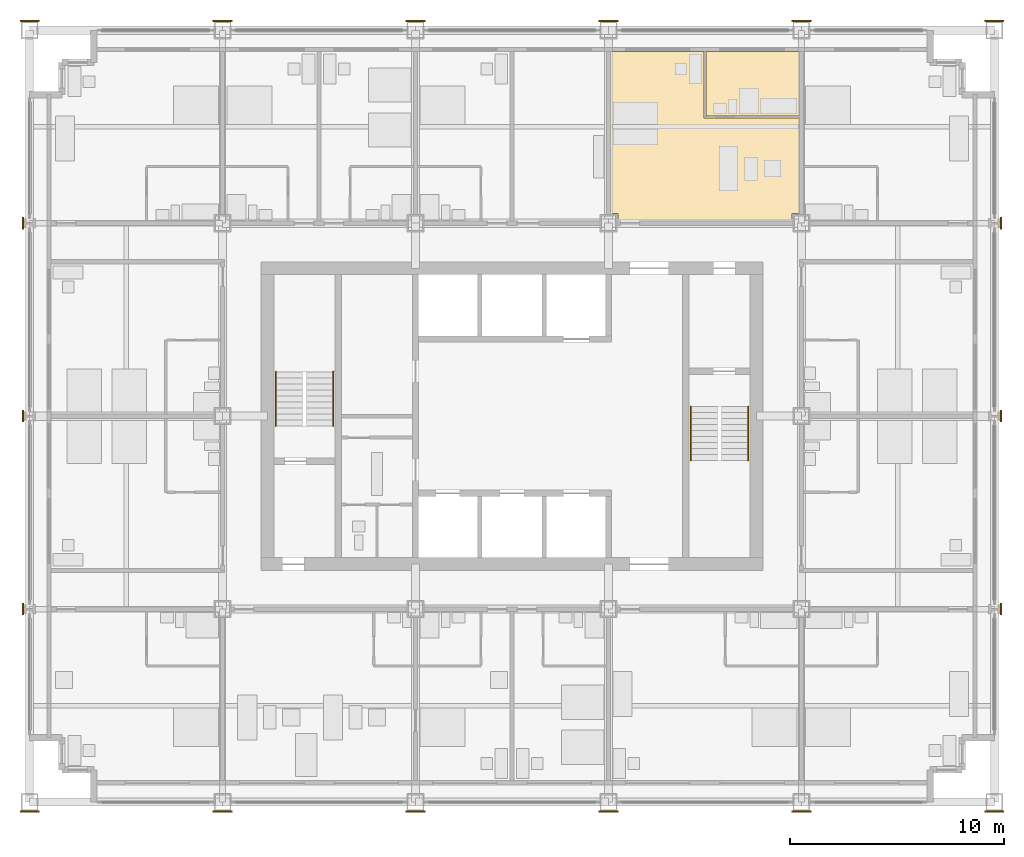
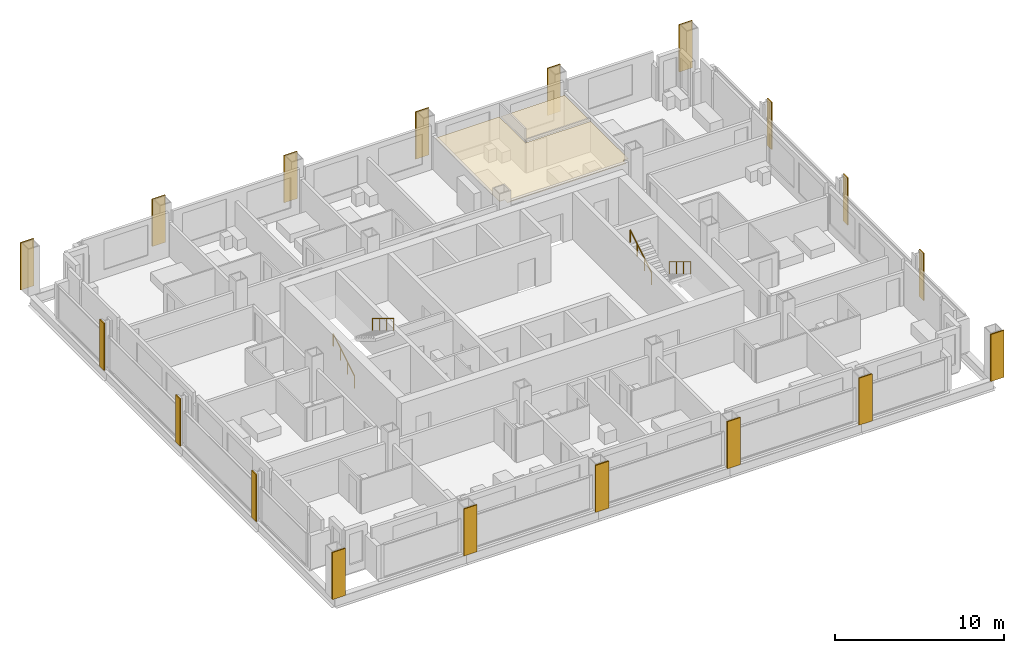
# One storey, part 14 of 16: 20 coverings, 4 railings.
"""IFC4 building model written with IfcOpenShell, lengths in metres."""

from ifc_helpers import new_model, si_unit, direction, frame, origin, origin_2d, place, context, subcontext, project, spatial, polyline, rectangle, circle, outline, extrude, material, layer, layer_set, type_object, element, save


model = new_model("IFC4")

# Units and contexts
model_context = context("Model", 3, precision=1e-05, world=origin(), true_north=direction((0.0, 1.0)))
body_context = subcontext(model_context, "Body", "Model", "MODEL_VIEW")
ifc_project = project(units=[si_unit("LENGTHUNIT", "METRE"), si_unit("AREAUNIT", "SQUARE_METRE"), si_unit("VOLUMEUNIT", "CUBIC_METRE"), si_unit("PLANEANGLEUNIT", "RADIAN"), si_unit("MASSUNIT", "GRAM", prefix="KILO")], contexts=[model_context])

# Site, building, storey
site_placement = place(None, origin())
site = spatial("IfcSite", under=ifc_project, at=site_placement, CompositionType="ELEMENT")
building_placement = place(site_placement, origin())
building = spatial("IfcBuilding", under=site, at=building_placement, Name="Loomwork Tower", CompositionType="ELEMENT")
storey_placement = place(building_placement, frame((0.0, 0.0, 131.60009765625)))
storey = spatial("IfcBuildingStorey", under=building, at=storey_placement, Name="L35", CompositionType="ELEMENT", Elevation=131.60009765625)

# Railings
ifc_material_1 = material(Name="Stainless steel handrail", Category="steel")
railing_type = type_object("IfcRailingType", Name="Handrail 900", PredefinedType="HANDRAIL", material=ifc_material_1)
railing_1_placement = place(storey_placement, frame((11.485107421875, 17.550048828125, 0.169921875)))
element("IfcRailing", 1, at=railing_1_placement, inside=storey, type_object=railing_type, Name="Stair A handrail flight 1 L35", PredefinedType="HANDRAIL", context=body_context, shape_type="SweptSolid", body=[
    extrude(circle(Radius=0.02392578125, at=origin_2d()), frame((0.0, 0.0, 0.8759765625), z_axis=(0.0, 0.85478489116, 0.518982456201), x_axis=(-1.0, 0.0, 0.0)), (0.0, 0.0, 1.0), 2.9482421875),
    extrude(circle(Radius=0.02099609375, at=origin_2d()), origin(), (0.0, 0.0, 1.0), 0.851806640625),
    extrude(circle(Radius=0.02099609375, at=origin_2d()), frame((0.0, 0.840087890625, 0.510009765625)), (0.0, 0.0, 1.0), 0.851806640625),
    extrude(circle(Radius=0.02099609375, at=origin_2d()), frame((0.0, 1.679931640625, 1.02001953125)), (0.0, 0.0, 1.0), 0.851806640625),
    extrude(circle(Radius=0.02099609375, at=origin_2d()), frame((0.0, 2.52001953125, 1.530029296875)), (0.0, 0.0, 1.0), 0.851806640625),
])
for number, where, name in (
    (2, (14.1650390625, 20.070068359375, 1.869873046875), "Stair A handrail flight 2 L35"),
    (3, (33.514892578125, 18.449951171875, 0.169921875), "Stair B handrail flight 1 L35"),
):
    element("IfcRailing", number, at=place(storey_placement, frame(where)), inside=storey, type_object=railing_type, Name=name, PredefinedType="HANDRAIL", context=body_context, shape_type="SweptSolid", body=[
        extrude(circle(Radius=0.02392578125, at=origin_2d()), frame((0.0, 0.0, 0.8759765625), z_axis=(0.0, -0.85478489116, 0.518982456201), x_axis=(1.0, 0.0, 0.0)), (0.0, 0.0, 1.0), 2.9482421875),
        extrude(circle(Radius=0.02099609375, at=origin_2d()), origin(), (0.0, 0.0, 1.0), 0.851806640625),
        extrude(circle(Radius=0.02099609375, at=origin_2d()), frame((0.0, -0.840087890625, 0.510009765625)), (0.0, 0.0, 1.0), 0.851806640625),
        extrude(circle(Radius=0.02099609375, at=origin_2d()), frame((0.0, -1.679931640625, 1.02001953125)), (0.0, 0.0, 1.0), 0.851806640625),
        extrude(circle(Radius=0.02099609375, at=origin_2d()), frame((0.0, -2.52001953125, 1.530029296875)), (0.0, 0.0, 1.0), 0.851806640625),
    ])
railing_2_placement = place(storey_placement, frame((30.8349609375, 15.929931640625, 1.869873046875)))
element("IfcRailing", 4, at=railing_2_placement, inside=storey, type_object=railing_type, Name="Stair B handrail flight 2 L35", PredefinedType="HANDRAIL", context=body_context, shape_type="SweptSolid", body=[
    extrude(circle(Radius=0.02392578125, at=origin_2d()), frame((0.0, 0.0, 0.8759765625), z_axis=(0.0, 0.85478489116, 0.518982456201), x_axis=(-1.0, 0.0, 0.0)), (0.0, 0.0, 1.0), 2.9482421875),
    extrude(circle(Radius=0.02099609375, at=origin_2d()), origin(), (0.0, 0.0, 1.0), 0.851806640625),
    extrude(circle(Radius=0.02099609375, at=origin_2d()), frame((0.0, 0.840087890625, 0.510009765625)), (0.0, 0.0, 1.0), 0.851806640625),
    extrude(circle(Radius=0.02099609375, at=origin_2d()), frame((0.0, 1.679931640625, 1.02001953125)), (0.0, 0.0, 1.0), 0.851806640625),
    extrude(circle(Radius=0.02099609375, at=origin_2d()), frame((0.0, 2.52001953125, 1.530029296875)), (0.0, 0.0, 1.0), 0.851806640625),
])

# Coverings
ifc_material_2 = material(Name="Limestone", Category="masonry")
ifc_layer_1 = layer(ifc_material_2, 0.080078125)
ifc_layer_set_1 = layer_set([ifc_layer_1], Name="Limestone pier facing 80")
covering_type_1 = type_object("IfcCoveringType", Name="Limestone pier facing 80", PredefinedType="CLADDING", material=ifc_layer_set_1)
covering_1_placement = place(storey_placement, frame((0.0, -0.43994140625, 0.0), z_axis=(0.0, 0.0, 1.0), x_axis=(1.0, 0.0, 0.0)))
element("IfcCovering", 5, at=covering_1_placement, inside=storey, type_object=covering_type_1, Name="Pier facing D/2 L35", PredefinedType="CLADDING", context=body_context, shape_type="SweptSolid", body=[
    extrude(rectangle(XDim=0.89990234375, YDim=0.080078125, at=origin_2d()), origin(), (0.0, 0.0, 1.0), 3.39990234375),
])
for number, where, z_axis, x_axis, name in (
    (6, (-0.305419921875, 9.0, 0.0), (0.0, 0.0, 1.0), (1.0, 0.0, 0.0), "Pier facing E/2 L35"),
    (7, (-0.305419921875, 18.0, 0.0), (0.0, 0.0, 1.0), (1.0, 0.0, 0.0), "Pier facing F/2 L35"),
    (8, (-0.305419921875, 27.0, 0.0), (0.0, 0.0, 1.0), (1.0, 0.0, 0.0), "Pier facing G/2 L35"),
):
    element("IfcCovering", number, at=place(storey_placement, frame(where, z_axis=z_axis, x_axis=x_axis)), inside=storey, type_object=covering_type_1, Name=name, PredefinedType="CLADDING", context=body_context, shape_type="SweptSolid", body=[
        extrude(rectangle(XDim=0.080078125, YDim=0.5419921875, at=origin_2d()), origin(), (0.0, 0.0, 1.0), 3.39990234375),
    ])
for number, where, z_axis, x_axis, name in (
    (9, (0.0, 36.43994140625, 0.0), (0.0, 0.0, 1.0), (1.0, 0.0, 0.0), "Pier facing H/2 L35"),
    (10, (9.0, -0.43994140625, 0.0), (0.0, 0.0, 1.0), (1.0, 0.0, 0.0), "Pier facing D/3 L35"),
    (11, (9.0, 36.43994140625, 0.0), (0.0, 0.0, 1.0), (1.0, 0.0, 0.0), "Pier facing H/3 L35"),
    (12, (18.0, -0.43994140625, 0.0), (0.0, 0.0, 1.0), (1.0, 0.0, 0.0), "Pier facing D/4 L35"),
    (13, (18.0, 36.43994140625, 0.0), (0.0, 0.0, 1.0), (1.0, 0.0, 0.0), "Pier facing H/4 L35"),
    (14, (27.0, -0.43994140625, 0.0), (0.0, 0.0, 1.0), (1.0, 0.0, 0.0), "Pier facing D/5 L35"),
    (15, (27.0, 36.43994140625, 0.0), (0.0, 0.0, 1.0), (1.0, 0.0, 0.0), "Pier facing H/5 L35"),
    (16, (36.0, -0.43994140625, 0.0), (0.0, 0.0, 1.0), (1.0, 0.0, 0.0), "Pier facing D/6 L35"),
    (17, (36.0, 36.43994140625, 0.0), (0.0, 0.0, 1.0), (1.0, 0.0, 0.0), "Pier facing H/6 L35"),
    (18, (45.0, -0.43994140625, 0.0), (0.0, 0.0, 1.0), (1.0, 0.0, 0.0), "Pier facing D/7 L35"),
):
    element("IfcCovering", number, at=place(storey_placement, frame(where, z_axis=z_axis, x_axis=x_axis)), inside=storey, type_object=covering_type_1, Name=name, PredefinedType="CLADDING", context=body_context, shape_type="SweptSolid", body=[
        extrude(rectangle(XDim=0.89990234375, YDim=0.080078125, at=origin_2d()), origin(), (0.0, 0.0, 1.0), 3.39990234375),
    ])
for number, where, z_axis, x_axis, name in (
    (19, (45.305419921875, 9.0, 0.0), (0.0, 0.0, 1.0), (1.0, 0.0, 0.0), "Pier facing E/7 L35"),
    (20, (45.305419921875, 18.0, 0.0), (0.0, 0.0, 1.0), (1.0, 0.0, 0.0), "Pier facing F/7 L35"),
    (21, (45.305419921875, 27.0, 0.0), (0.0, 0.0, 1.0), (1.0, 0.0, 0.0), "Pier facing G/7 L35"),
):
    element("IfcCovering", number, at=place(storey_placement, frame(where, z_axis=z_axis, x_axis=x_axis)), inside=storey, type_object=covering_type_1, Name=name, PredefinedType="CLADDING", context=body_context, shape_type="SweptSolid", body=[
        extrude(rectangle(XDim=0.080078125, YDim=0.5419921875, at=origin_2d()), origin(), (0.0, 0.0, 1.0), 3.39990234375),
    ])
covering_2_placement = place(storey_placement, frame((45.0, 36.43994140625, 0.0), z_axis=(0.0, 0.0, 1.0), x_axis=(1.0, 0.0, 0.0)))
element("IfcCovering", 22, at=covering_2_placement, inside=storey, type_object=covering_type_1, Name="Pier facing H/7 L35", PredefinedType="CLADDING", context=body_context, shape_type="SweptSolid", body=[
    extrude(rectangle(XDim=0.89990234375, YDim=0.080078125, at=origin_2d()), origin(), (0.0, 0.0, 1.0), 3.39990234375),
])
ifc_material_3 = material(Name="Mineral fibre acoustic tile on suspension grid")
ifc_layer_2 = layer(ifc_material_3, 0.02490234375)
ifc_layer_set_2 = layer_set([ifc_layer_2], Name="Suspended acoustic ceiling")
covering_type_2 = type_object("IfcCoveringType", Name="Suspended acoustic ceiling", PredefinedType="CEILING", material=ifc_layer_set_2)
covering_3_placement = place(storey_placement, frame((0.0, 0.0, 2.1748046875)))
element("IfcCovering", 23, at=covering_3_placement, inside=storey, type_object=covering_type_2, Name="Ceiling Spa bathroom L35", PredefinedType="CEILING", context=body_context, shape_type="SweptSolid", body=[
    extrude(outline(polyline([(31.550048828125, 35.0), (35.89990234375, 35.0), (35.89990234375, 32.0), (31.550048828125, 32.0), (31.550048828125, 35.0)])), origin(), (0.0, 0.0, 1.0), 0.025146484375),
])
covering_4_placement = place(storey_placement, frame((0.0, 0.0, 2.1748046875)))
element("IfcCovering", 24, at=covering_4_placement, inside=storey, type_object=covering_type_2, Name="Ceiling Spa suite L35", PredefinedType="CEILING", context=body_context, shape_type="SweptSolid", body=[
    extrude(outline(polyline([(27.10009765625, 35.0), (31.449951171875, 35.0), (31.449951171875, 31.89990234375), (35.89990234375, 31.89990234375), (35.89990234375, 27.449951171875), (35.550048828125, 27.449951171875), (35.550048828125, 27.10009765625), (27.449951171875, 27.10009765625), (27.449951171875, 27.449951171875), (27.10009765625, 27.449951171875), (27.10009765625, 35.0)])), origin(), (0.0, 0.0, 1.0), 0.025146484375),
])

save(model, "model.ifc")
